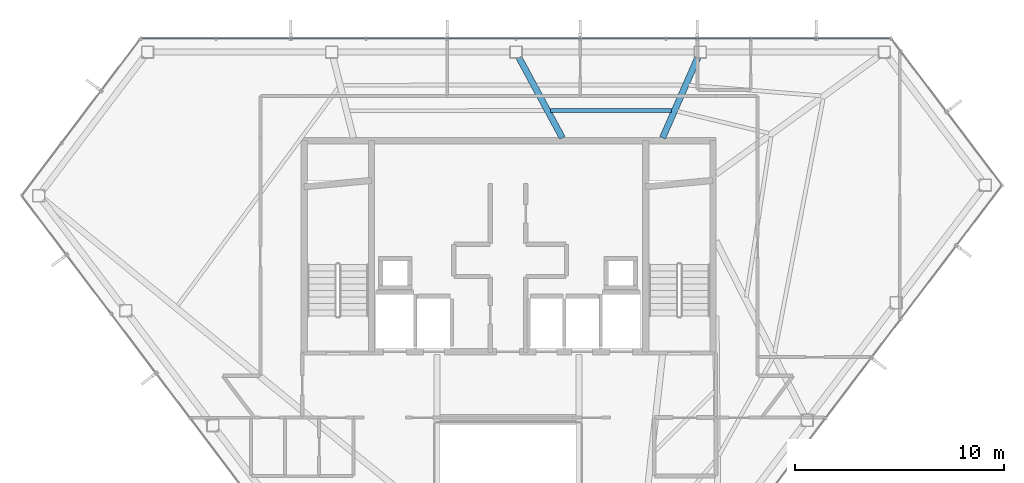
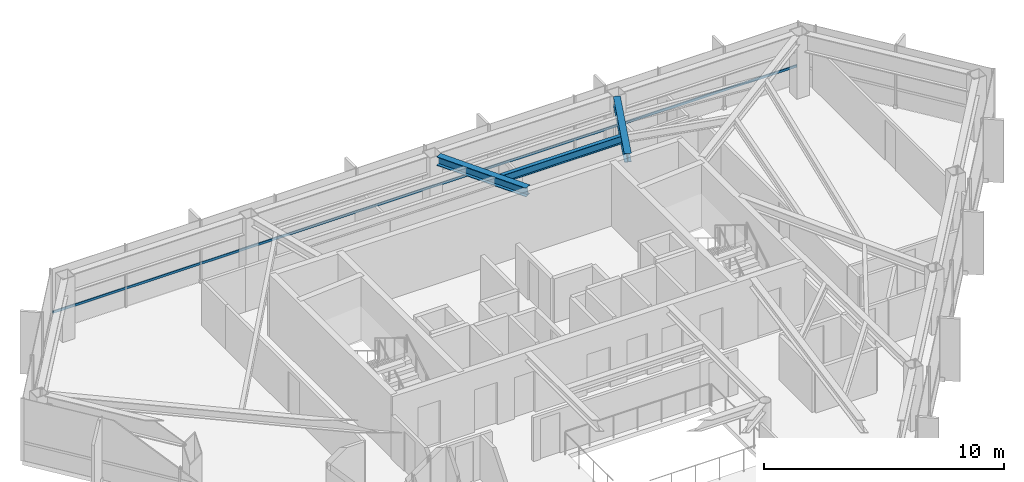
# One storey, part 15 of 28: 3 beams, 1 member, 1 element without a shape of its own.
"""IFC4 building model written with IfcOpenShell, lengths in metres."""

from ifc_helpers import new_model, si_unit, direction, frame, origin, origin_2d, place, context, subcontext, project, spatial, hollow_rectangle, i_section, extrude, material, layer, layer_set, material_profile, profile_set, type_object, element, aggregate, save


model = new_model("IFC4")

# Units and contexts
model_context = context("Model", 3, precision=1e-05, world=origin(), true_north=direction((0.0, 1.0)))
body_context = subcontext(model_context, "Body", "Model", "MODEL_VIEW")
ifc_project = project(units=[si_unit("LENGTHUNIT", "METRE"), si_unit("AREAUNIT", "SQUARE_METRE"), si_unit("VOLUMEUNIT", "CUBIC_METRE"), si_unit("PLANEANGLEUNIT", "RADIAN"), si_unit("MASSUNIT", "GRAM", prefix="KILO")], contexts=[model_context])

# Site, building, storey
site_placement = place(None, origin())
site = spatial("IfcSite", under=ifc_project, at=site_placement, CompositionType="ELEMENT")
building_placement = place(site_placement, origin())
building = spatial("IfcBuilding", under=site, at=building_placement, Name="Zarrinselat Tower", CompositionType="ELEMENT")
storey_placement = place(building_placement, frame((0.0, 0.0, 218.9599609375)))
storey = spatial("IfcBuildingStorey", under=building, at=storey_placement, Name="L54", CompositionType="ELEMENT", Elevation=218.9599609375)

# Beams
ifc_material_1 = material(Name="Steel S355J2", Category="steel")
ifc_material_profile_1 = material_profile(ifc_material_1, i_section(OverallWidth=0.300048828125, OverallDepth=0.449951171875, WebThickness=0.013916015625, FlangeThickness=0.02587890625, at=origin_2d()), Name="HEB 450")
ifc_profile_set_1 = profile_set([ifc_material_profile_1], Name="Steel S355J2")
beam_type_1 = type_object("IfcBeamType", Name="BM-HEB450", PredefinedType="BEAM", material=ifc_profile_set_1)
beam_1_placement = place(storey_placement, frame((45.800048828125, 43.5400390625, 2.955078125), z_axis=(0.401477560637, 0.915868859775, 0.0), x_axis=(-0.915868859775, 0.401477560637, 0.0)))
element("IfcBeam", 1, at=beam_1_placement, inside=storey, type_object=beam_type_1, Name="L54 Radial Primary Girder RG02", PredefinedType="BEAM", context=body_context, shape_type="SweptSolid", body=[
    extrude(i_section(OverallWidth=0.300048828125, OverallDepth=0.449951171875, WebThickness=0.013916015625, FlangeThickness=0.02587890625, at=origin_2d()), origin(), (0.0, 0.0, 1.0), 4.179443359375),
])
beam_2_placement = place(storey_placement, frame((38.926025390625, 47.378662109375, 2.955078125), z_axis=(0.475347322501, -0.879798228568, 0.0), x_axis=(0.879798228568, 0.475347322501, 0.0)))
element("IfcBeam", 2, at=beam_2_placement, inside=storey, type_object=beam_type_1, Name="L54 Radial Primary Girder RG03", PredefinedType="BEAM", context=body_context, shape_type="SweptSolid", body=[
    extrude(i_section(OverallWidth=0.300048828125, OverallDepth=0.449951171875, WebThickness=0.013916015625, FlangeThickness=0.02587890625, at=origin_2d()), origin(), (0.0, 0.0, 1.0), 4.363037109375),
])
ifc_material_2 = material(Name="Steel S355J2", Category="steel")
ifc_material_profile_2 = material_profile(ifc_material_2, i_section(OverallWidth=0.179931640625, OverallDepth=0.39990234375, WebThickness=0.008544921875, FlangeThickness=0.013427734375, at=origin_2d()), Name="IPE 400")
ifc_profile_set_2 = profile_set([ifc_material_profile_2], Name="Steel S355J2")
beam_type_2 = type_object("IfcBeamType", Name="BM-IPE400", PredefinedType="JOIST", material=ifc_profile_set_2)
beam_3_placement = place(storey_placement, frame((40.434814453125, 44.84521484375, 2.97998046875), z_axis=(0.999999800386, -0.000631844861, 0.0), x_axis=(0.000631844861, 0.999999800386, 0.0)))
element("IfcBeam", 3, at=beam_3_placement, inside=storey, type_object=beam_type_2, Name="L54 Composite Floor Joist 7-2", PredefinedType="JOIST", context=body_context, shape_type="SweptSolid", body=[
    extrude(i_section(OverallWidth=0.179931640625, OverallDepth=0.39990234375, WebThickness=0.008544921875, FlangeThickness=0.013427734375, at=origin_2d()), origin(), (0.0, 0.0, 1.0), 5.7958984375),
])

# Curtain wall, member
ifc_material_3 = material(Name="Extruded Aluminium Alloy EN AW-6063 T6", Category="aluminium")
ifc_layer = layer(ifc_material_3, 0.169921875)
ifc_layer_set = layer_set([ifc_layer], Name="Extruded Aluminium Alloy EN AW-6063 T6")
curtain_wall_type = type_object("IfcCurtainWallType", Name="CWS-RES", PredefinedType="NOTDEFINED", material=ifc_layer_set)
curtain_wall_placement = place(storey_placement, origin())
curtain_wall = element("IfcCurtainWall", 4, at=curtain_wall_placement, inside=storey, type_object=curtain_wall_type, Name="L54 Unitised Curtain Wall CW-L54-E01", PredefinedType="NOTDEFINED")
ifc_material_4 = material(Name="Extruded Aluminium Alloy EN AW-6063 T6", Category="aluminium")
ifc_material_profile_3 = material_profile(ifc_material_4, hollow_rectangle(XDim=0.06005859375, YDim=0.1201171875, WallThickness=0.00390625, at=origin_2d()), Name="RHS 120x60x4")
ifc_profile_set_3 = profile_set([ifc_material_profile_3], Name="Extruded Aluminium Alloy EN AW-6063 T6")
member_type = type_object("IfcMemberType", Name="MEM-CW-TRN2", PredefinedType="USERDEFINED", material=ifc_profile_set_3)
member_placement = place(storey_placement, frame((56.6494140625, 48.29443359375, 0.949951171875), z_axis=(-1.0, 0.0, 0.0), x_axis=(0.0, -1.0, 0.0)))
member = element("IfcMember", 5, at=member_placement, type_object=member_type, Name="CW-L54-E01 Transom 1", ObjectType="TRANSOM", PredefinedType="USERDEFINED", context=body_context, shape_type="SweptSolid", body=[
    extrude(hollow_rectangle(XDim=0.06005859375, YDim=0.1201171875, WallThickness=0.00390625, at=origin_2d()), origin(), (0.0, 0.0, 1.0), 35.73388671875),
])
aggregate(curtain_wall, [member])

save(model, "model.ifc")
